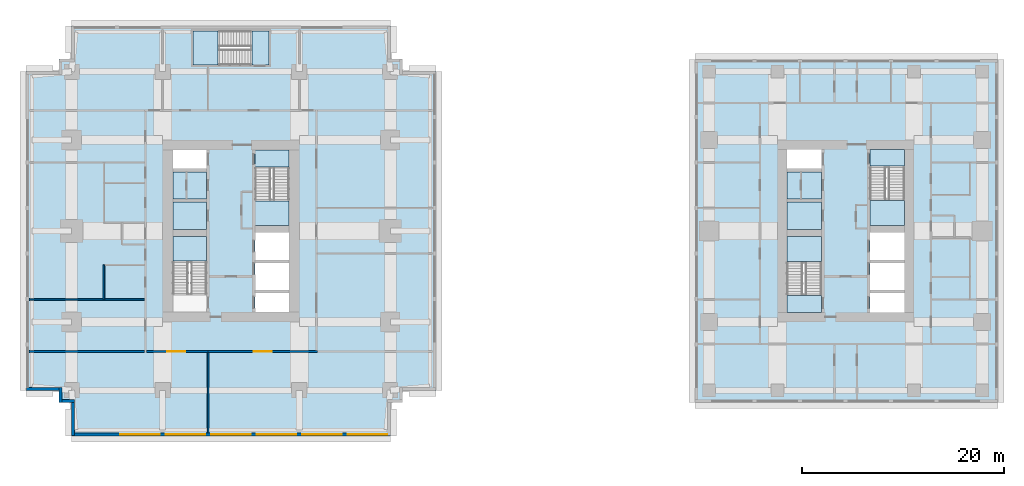
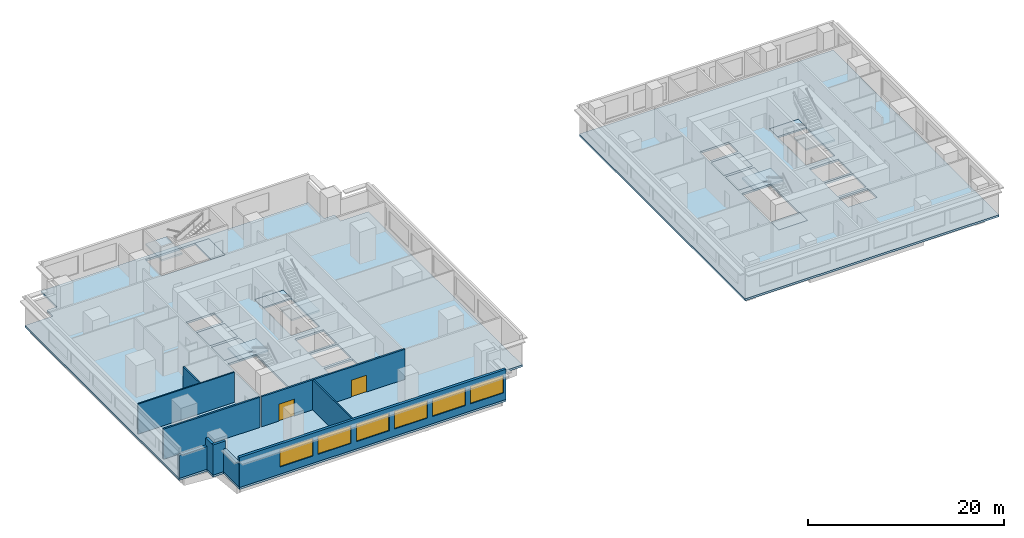
# One storey, part 2 of 11: 15 slabs, 10 walls, 6 windows, 2 doors, 8 openings, 5 elements without a shape of their own.
"""IFC4 building model written with IfcOpenShell, lengths in metres."""

from ifc_helpers import new_model, si_unit, direction, frame, frame_2d, origin, place, context, subcontext, project, spatial, polyline, rectangle, outline, extrude, material, layer, layer_set, type_object, element, fill, aggregate, save


model = new_model("IFC4")

# Units and contexts
model_context = context("Model", 3, precision=1e-05, world=origin(), true_north=direction((0.0, 1.0)))
body_context = subcontext(model_context, "Body", "Model", "MODEL_VIEW")
ifc_project = project(units=[si_unit("LENGTHUNIT", "METRE"), si_unit("AREAUNIT", "SQUARE_METRE"), si_unit("VOLUMEUNIT", "CUBIC_METRE"), si_unit("PLANEANGLEUNIT", "RADIAN"), si_unit("MASSUNIT", "GRAM", prefix="KILO")], contexts=[model_context])

# Site, building, storey
site_placement = place(None, origin())
site = spatial("IfcSite", under=ifc_project, at=site_placement, CompositionType="ELEMENT")
building_placement = place(site_placement, origin())
building = spatial("IfcBuilding", under=site, at=building_placement, Name="Namib Vertical Campus", CompositionType="ELEMENT")
storey_placement = place(building_placement, frame((0.0, 0.0, 221.0)))
storey = spatial("IfcBuildingStorey", under=building, at=storey_placement, Name="L52", CompositionType="ELEMENT", Elevation=221.0)

# Slabs
ifc_material_1 = material(Name="Concrete C40/50", Category="concrete")
ifc_layer_1 = layer(ifc_material_1, 0.25)
ifc_layer_set_1 = layer_set([ifc_layer_1], Name="Concrete C40/50")
slab_type_1 = type_object("IfcSlabType", Name="Floor slab 250", PredefinedType="FLOOR", material=ifc_layer_set_1)
slab_1_placement = place(storey_placement, frame((0.0, 0.0, -0.25)))
element("IfcSlab", 1, at=slab_1_placement, inside=storey, type_object=slab_type_1, Name="Floor slab A L52", PredefinedType="FLOOR", context=body_context, shape_type="SweptSolid", body=[
    extrude(outline(polyline([(4.5, 0.0), (36.0, 0.0), (36.0, 3.27490234375), (37.22509765625, 3.27490234375), (37.22509765625, 4.5), (40.5, 4.5), (40.5, 36.0), (37.22509765625, 36.0), (37.22509765625, 37.22509765625), (36.0, 37.22509765625), (36.0, 40.5), (4.5, 40.5), (4.5, 37.22509765625), (3.27490234375, 37.22509765625), (3.27490234375, 36.0), (0.0, 36.0), (0.0, 4.5), (3.27490234375, 4.5), (3.27490234375, 3.27490234375), (4.5, 3.27490234375), (4.5, 0.0)]), holes=[polyline([(14.5, 12.25), (17.85009765625, 12.25), (17.85009765625, 19.699951171875), (14.5, 19.699951171875), (14.5, 12.25)]), polyline([(22.64990234375, 20.800048828125), (26.0, 20.800048828125), (26.0, 28.25), (22.64990234375, 28.25), (22.64990234375, 20.800048828125)]), polyline([(22.64990234375, 12.25), (26.0, 12.25), (26.0, 14.10009765625), (22.64990234375, 14.10009765625), (22.64990234375, 12.25)]), polyline([(14.5, 20.39990234375), (17.85009765625, 20.39990234375), (17.85009765625, 23.10009765625), (14.5, 23.10009765625), (14.5, 20.39990234375)]), polyline([(14.5, 23.39990234375), (17.85009765625, 23.39990234375), (17.85009765625, 26.10009765625), (14.5, 26.10009765625), (14.5, 23.39990234375)]), polyline([(14.5, 26.39990234375), (17.85009765625, 26.39990234375), (17.85009765625, 28.25), (14.5, 28.25), (14.5, 26.39990234375)]), polyline([(22.64990234375, 14.39990234375), (26.0, 14.39990234375), (26.0, 17.10009765625), (22.64990234375, 17.10009765625), (22.64990234375, 14.39990234375)]), polyline([(22.64990234375, 17.39990234375), (26.0, 17.39990234375), (26.0, 20.10009765625), (22.64990234375, 20.10009765625), (22.64990234375, 17.39990234375)]), polyline([(16.5, 36.64990234375), (24.0, 36.64990234375), (24.0, 40.0), (16.5, 40.0), (16.5, 36.64990234375)])]), origin(), (0.0, 0.0, 1.0), 0.25),
])
slab_2_placement = place(storey_placement, frame((0.0, 0.0, -0.25)))
element("IfcSlab", 2, at=slab_2_placement, inside=storey, type_object=slab_type_1, Name="Floor slab B L52", PredefinedType="FLOOR", context=body_context, shape_type="SweptSolid", body=[
    extrude(outline(polyline([(66.10009765625, 3.300048828125), (96.050048828125, 3.300048828125), (96.050048828125, 37.199951171875), (66.10009765625, 37.199951171875), (66.10009765625, 3.300048828125)]), holes=[polyline([(75.199951171875, 12.199951171875), (78.60009765625, 12.199951171875), (78.60009765625, 19.699951171875), (75.199951171875, 19.699951171875), (75.199951171875, 12.199951171875)]), polyline([(83.39990234375, 20.800048828125), (86.800048828125, 20.800048828125), (86.800048828125, 28.300048828125), (83.39990234375, 28.300048828125), (83.39990234375, 20.800048828125)]), polyline([(83.39990234375, 12.199951171875), (86.800048828125, 12.199951171875), (86.800048828125, 14.10009765625), (83.39990234375, 14.10009765625), (83.39990234375, 12.199951171875)]), polyline([(75.199951171875, 20.39990234375), (78.60009765625, 20.39990234375), (78.60009765625, 23.10009765625), (75.199951171875, 23.10009765625), (75.199951171875, 20.39990234375)]), polyline([(75.199951171875, 23.39990234375), (78.60009765625, 23.39990234375), (78.60009765625, 26.10009765625), (75.199951171875, 26.10009765625), (75.199951171875, 23.39990234375)]), polyline([(75.199951171875, 26.39990234375), (78.60009765625, 26.39990234375), (78.60009765625, 28.300048828125), (75.199951171875, 28.300048828125), (75.199951171875, 26.39990234375)]), polyline([(83.39990234375, 14.39990234375), (86.800048828125, 14.39990234375), (86.800048828125, 17.10009765625), (83.39990234375, 17.10009765625), (83.39990234375, 14.39990234375)]), polyline([(83.39990234375, 17.39990234375), (86.800048828125, 17.39990234375), (86.800048828125, 20.10009765625), (83.39990234375, 20.10009765625), (83.39990234375, 17.39990234375)])]), origin(), (0.0, 0.0, 1.0), 0.25),
])
ifc_material_2 = material(Name="Concrete C40/50 precast", Category="concrete")
ifc_layer_2 = layer(ifc_material_2, 0.25)
ifc_layer_set_2 = layer_set([ifc_layer_2], Name="Concrete C40/50 precast")
slab_type_2 = type_object("IfcSlabType", Name="Shaft infill floor 250", PredefinedType="FLOOR", material=ifc_layer_set_2)
slab_3_placement = place(storey_placement, frame((0.0, 0.0, -0.25)))
element("IfcSlab", 3, at=slab_3_placement, inside=storey, type_object=slab_type_2, Name="Shaft infill floor A L52 P1", PredefinedType="FLOOR", context=body_context, shape_type="SweptSolid", body=[
    extrude(outline(polyline([(14.5, 20.39990234375), (17.85009765625, 20.39990234375), (17.85009765625, 23.10009765625), (14.5, 23.10009765625), (14.5, 20.39990234375)])), origin(), (0.0, 0.0, 1.0), 0.25),
])
slab_4_placement = place(storey_placement, frame((0.0, 0.0, -0.25)))
element("IfcSlab", 4, at=slab_4_placement, inside=storey, type_object=slab_type_2, Name="Shaft infill floor A L52 P2", PredefinedType="FLOOR", context=body_context, shape_type="SweptSolid", body=[
    extrude(outline(polyline([(14.5, 23.39990234375), (17.85009765625, 23.39990234375), (17.85009765625, 26.10009765625), (14.5, 26.10009765625), (14.5, 23.39990234375)])), origin(), (0.0, 0.0, 1.0), 0.25),
])
slab_5_placement = place(storey_placement, frame((0.0, 0.0, -0.25)))
element("IfcSlab", 5, at=slab_5_placement, inside=storey, type_object=slab_type_2, Name="Shaft infill floor B L52 P1", PredefinedType="FLOOR", context=body_context, shape_type="SweptSolid", body=[
    extrude(outline(polyline([(75.199951171875, 20.39990234375), (78.60009765625, 20.39990234375), (78.60009765625, 23.10009765625), (75.199951171875, 23.10009765625), (75.199951171875, 20.39990234375)])), origin(), (0.0, 0.0, 1.0), 0.25),
])
slab_6_placement = place(storey_placement, frame((0.0, 0.0, -0.25)))
element("IfcSlab", 6, at=slab_6_placement, inside=storey, type_object=slab_type_2, Name="Shaft infill floor B L52 P2", PredefinedType="FLOOR", context=body_context, shape_type="SweptSolid", body=[
    extrude(outline(polyline([(75.199951171875, 23.39990234375), (78.60009765625, 23.39990234375), (78.60009765625, 26.10009765625), (75.199951171875, 26.10009765625), (75.199951171875, 23.39990234375)])), origin(), (0.0, 0.0, 1.0), 0.25),
])

# Stair, slab
ifc_material_3 = material(Name="Concrete C40/50 precast", Category="concrete")
stair_type_1 = type_object("IfcStairType", Name="Exit stair 4000 rise 24 risers 3350 wide", PredefinedType="HALF_TURN_STAIR", material=ifc_material_3)
stair_1_placement = place(storey_placement, origin())
stair_1 = element("IfcStair", 7, at=stair_1_placement, inside=storey, type_object=stair_type_1, Name="Exit stair A-S1 L52", PredefinedType="HALF_TURN_STAIR")
ifc_material_4 = material(Name="Concrete C40/50", Category="concrete")
ifc_layer_3 = layer(ifc_material_4, 0.199951171875)
ifc_layer_set_3 = layer_set([ifc_layer_3], Name="Concrete C40/50")
slab_type_3 = type_object("IfcSlabType", Name="Stair landing 200", PredefinedType="LANDING", material=ifc_layer_set_3)
slab_7_placement = place(storey_placement, frame((0.0, 0.0, 1.800048828125)))
slab_7 = element("IfcSlab", 8, at=slab_7_placement, type_object=slab_type_3, Name="A-S1 landing 2", PredefinedType="LANDING", context=body_context, shape_type="SweptSolid", body=[
    extrude(outline(polyline([(14.5, 17.276123046875), (17.85009765625, 17.276123046875), (17.85009765625, 19.699951171875), (14.5, 19.699951171875), (14.5, 17.276123046875)])), origin(), (0.0, 0.0, 1.0), 0.199951171875),
])
aggregate(stair_1, [slab_7])

# Stair, slabs
stair_2_placement = place(storey_placement, origin())
stair_2 = element("IfcStair", 9, at=stair_2_placement, inside=storey, type_object=stair_type_1, Name="Exit stair A-S2 L52", PredefinedType="HALF_TURN_STAIR")
slab_8_placement = place(storey_placement, frame((0.0, 0.0, -0.199951171875)))
slab_8 = element("IfcSlab", 10, at=slab_8_placement, type_object=slab_type_3, Name="A-S2 landing 1", PredefinedType="LANDING", context=body_context, shape_type="SweptSolid", body=[
    extrude(outline(polyline([(22.64990234375, 26.59619140625), (26.0, 26.59619140625), (26.0, 28.25), (22.64990234375, 28.25), (22.64990234375, 26.59619140625)])), origin(), (0.0, 0.0, 1.0), 0.199951171875),
])
slab_9_placement = place(storey_placement, frame((0.0, 0.0, 1.800048828125)))
slab_9 = element("IfcSlab", 11, at=slab_9_placement, type_object=slab_type_3, Name="A-S2 landing 2", PredefinedType="LANDING", context=body_context, shape_type="SweptSolid", body=[
    extrude(outline(polyline([(22.64990234375, 20.800048828125), (26.0, 20.800048828125), (26.0, 23.223876953125), (22.64990234375, 23.223876953125), (22.64990234375, 20.800048828125)])), origin(), (0.0, 0.0, 1.0), 0.199951171875),
])
aggregate(stair_2, [slab_8, slab_9])

ifc_material_5 = material(Name="Concrete C40/50 precast", Category="concrete")
stair_type_2 = type_object("IfcStairType", Name="Exit stair 4000 rise 24 risers 3400 wide", PredefinedType="HALF_TURN_STAIR", material=ifc_material_5)
stair_3_placement = place(storey_placement, origin())
stair_3 = element("IfcStair", 12, at=stair_3_placement, inside=storey, type_object=stair_type_2, Name="Exit stair B-S1 L52", PredefinedType="HALF_TURN_STAIR")
slab_10_placement = place(storey_placement, frame((0.0, 0.0, -0.199951171875)))
slab_10 = element("IfcSlab", 13, at=slab_10_placement, type_object=slab_type_3, Name="B-S1 landing 1", PredefinedType="LANDING", context=body_context, shape_type="SweptSolid", body=[
    extrude(outline(polyline([(75.199951171875, 12.199951171875), (78.60009765625, 12.199951171875), (78.60009765625, 13.85400390625), (75.199951171875, 13.85400390625), (75.199951171875, 12.199951171875)])), origin(), (0.0, 0.0, 1.0), 0.199951171875),
])
slab_11_placement = place(storey_placement, frame((0.0, 0.0, 1.800048828125)))
slab_11 = element("IfcSlab", 14, at=slab_11_placement, type_object=slab_type_3, Name="B-S1 landing 2", PredefinedType="LANDING", context=body_context, shape_type="SweptSolid", body=[
    extrude(outline(polyline([(75.199951171875, 17.22607421875), (78.60009765625, 17.22607421875), (78.60009765625, 19.699951171875), (75.199951171875, 19.699951171875), (75.199951171875, 17.22607421875)])), origin(), (0.0, 0.0, 1.0), 0.199951171875),
])
aggregate(stair_3, [slab_10, slab_11])

stair_4_placement = place(storey_placement, origin())
stair_4 = element("IfcStair", 15, at=stair_4_placement, inside=storey, type_object=stair_type_2, Name="Exit stair B-S2 L52", PredefinedType="HALF_TURN_STAIR")
slab_12_placement = place(storey_placement, frame((0.0, 0.0, -0.199951171875)))
slab_12 = element("IfcSlab", 16, at=slab_12_placement, type_object=slab_type_3, Name="B-S2 landing 1", PredefinedType="LANDING", context=body_context, shape_type="SweptSolid", body=[
    extrude(outline(polyline([(83.39990234375, 26.64599609375), (86.800048828125, 26.64599609375), (86.800048828125, 28.300048828125), (83.39990234375, 28.300048828125), (83.39990234375, 26.64599609375)])), origin(), (0.0, 0.0, 1.0), 0.199951171875),
])
slab_13_placement = place(storey_placement, frame((0.0, 0.0, 1.800048828125)))
slab_13 = element("IfcSlab", 17, at=slab_13_placement, type_object=slab_type_3, Name="B-S2 landing 2", PredefinedType="LANDING", context=body_context, shape_type="SweptSolid", body=[
    extrude(outline(polyline([(83.39990234375, 20.800048828125), (86.800048828125, 20.800048828125), (86.800048828125, 23.27392578125), (83.39990234375, 23.27392578125), (83.39990234375, 20.800048828125)])), origin(), (0.0, 0.0, 1.0), 0.199951171875),
])
aggregate(stair_4, [slab_12, slab_13])

stair_5_placement = place(storey_placement, origin())
stair_5 = element("IfcStair", 18, at=stair_5_placement, inside=storey, type_object=stair_type_1, Name="Exit stair A-S3 L52", PredefinedType="HALF_TURN_STAIR")
slab_14_placement = place(storey_placement, frame((0.0, 0.0, -0.199951171875)))
slab_14 = element("IfcSlab", 19, at=slab_14_placement, type_object=slab_type_3, Name="A-S3 landing 1", PredefinedType="LANDING", context=body_context, shape_type="SweptSolid", body=[
    extrude(outline(polyline([(22.34619140625, 36.64990234375), (22.34619140625, 40.0), (24.0, 40.0), (24.0, 36.64990234375), (22.34619140625, 36.64990234375)])), origin(), (0.0, 0.0, 1.0), 0.199951171875),
])
slab_15_placement = place(storey_placement, frame((0.0, 0.0, 1.800048828125)))
slab_15 = element("IfcSlab", 20, at=slab_15_placement, type_object=slab_type_3, Name="A-S3 landing 2", PredefinedType="LANDING", context=body_context, shape_type="SweptSolid", body=[
    extrude(outline(polyline([(16.5, 36.64990234375), (16.5, 40.0), (18.973876953125, 40.0), (18.973876953125, 36.64990234375), (16.5, 36.64990234375)])), origin(), (0.0, 0.0, 1.0), 0.199951171875),
])
aggregate(stair_5, [slab_14, slab_15])

# Wall, openings, doors
ifc_material_6 = material(Name="Concrete masonry", Category="masonry")
ifc_layer_4 = layer(ifc_material_6, 0.199951171875)
ifc_layer_set_4 = layer_set([ifc_layer_4], Name="Corridor wall 200")
wall_type_1 = type_object("IfcWallType", Name="Corridor wall 200", PredefinedType="SOLIDWALL", material=ifc_layer_set_4)
wall_1_placement = place(storey_placement, frame((11.89990234375, 8.35009765625, 0.0), z_axis=(0.0, 0.0, 1.0), x_axis=(1.0, 0.0, 0.0)))
wall_1 = element("IfcWall", 21, at=wall_1_placement, inside=storey, type_object=wall_type_1, Name="Corridor wall A L52 CS", PredefinedType="SOLIDWALL", context=body_context, shape_type="SweptSolid", body=[
    extrude(rectangle(XDim=16.900146484375, YDim=0.199951171875, at=frame_2d((8.4501953125, 0.0))), origin(), (0.0, 0.0, 1.0), 3.75),
])
opening_1_placement = place(wall_1_placement, frame((2.050048828125, 0.0, 0.0)))
opening_1 = element("IfcOpeningElement", 22, at=opening_1_placement, cuts=wall_1, Name="Opening CD2", PredefinedType="OPENING", context=body_context, shape_type="SweptSolid", body=[
    extrude(rectangle(XDim=1.800048828125, YDim=2.10009765625, at=frame_2d((0.89990234375, 1.050048828125))), frame((0.0, 0.10986328125, 0.0), z_axis=(0.0, -1.0, 0.0), x_axis=(1.0, 0.0, 0.0)), (0.0, 0.0, 1.0), 0.219970703125),
])
opening_2_placement = place(wall_1_placement, frame((10.60009765625, 0.0, 0.0)))
opening_2 = element("IfcOpeningElement", 23, at=opening_2_placement, cuts=wall_1, Name="Opening CD2", PredefinedType="OPENING", context=body_context, shape_type="SweptSolid", body=[
    extrude(rectangle(XDim=1.800048828125, YDim=2.10009765625, at=frame_2d((0.89990234375, 1.050048828125))), frame((0.0, 0.10986328125, 0.0), z_axis=(0.0, -1.0, 0.0), x_axis=(1.0, 0.0, 0.0)), (0.0, 0.0, 1.0), 0.219970703125),
])
ifc_material_7 = material(Name="Timber fire door leaf", Category="wood")
door_type = type_object("IfcDoorType", Name="Corridor door double 1800x2100 20 min", OperationType="DOUBLE_DOOR_SINGLE_SWING", PredefinedType="DOOR", material=ifc_material_7)
door_1_placement = place(opening_1_placement, frame((1.800048828125, 0.0, 0.0), z_axis=(0.0, 0.0, 1.0), x_axis=(-1.0, 0.0, 0.0)))
door_1 = element("IfcDoor", 24, at=door_1_placement, inside=storey, type_object=door_type, Name="Door CD2 A52-01", OperationType="DOUBLE_DOOR_SINGLE_SWING", OverallHeight=2.10009765625, OverallWidth=1.800048828125, PredefinedType="DOOR", context=body_context, shape_type="SweptSolid", body=[
    extrude(rectangle(XDim=1.800048828125, YDim=2.10009765625, at=frame_2d((0.89990234375, 1.050048828125))), frame((0.0, 0.02490234375, 0.0), z_axis=(0.0, -1.0, 0.0), x_axis=(1.0, 0.0, 0.0)), (0.0, 0.0, 1.0), 0.050048828125),
])
fill(opening_1, door_1)
door_2_placement = place(opening_2_placement, frame((1.800048828125, 0.0, 0.0), z_axis=(0.0, 0.0, 1.0), x_axis=(-1.0, 0.0, 0.0)))
door_2 = element("IfcDoor", 25, at=door_2_placement, inside=storey, type_object=door_type, Name="Door CD2 A52-02", OperationType="DOUBLE_DOOR_SINGLE_SWING", OverallHeight=2.10009765625, OverallWidth=1.800048828125, PredefinedType="DOOR", context=body_context, shape_type="SweptSolid", body=[
    extrude(rectangle(XDim=1.800048828125, YDim=2.10009765625, at=frame_2d((0.89990234375, 1.050048828125))), frame((0.0, 0.02490234375, 0.0), z_axis=(0.0, -1.0, 0.0), x_axis=(1.0, 0.0, 0.0)), (0.0, 0.0, 1.0), 0.050048828125),
])
fill(opening_2, door_2)

# Wall
wall_2_placement = place(storey_placement, frame((0.300048828125, 8.35009765625, 0.0), z_axis=(0.0, 0.0, 1.0), x_axis=(1.0, 0.0, 0.0)))
element("IfcWall", 26, at=wall_2_placement, inside=storey, type_object=wall_type_1, Name="Partition A L52 BSW", PredefinedType="SOLIDWALL", context=body_context, shape_type="SweptSolid", body=[
    extrude(rectangle(XDim=11.39990234375, YDim=0.199951171875, at=frame_2d((5.699951171875, 0.0))), origin(), (0.0, 0.0, 1.0), 3.75),
])

# Wall, openings, windows
ifc_material_8 = material(Name="Concrete C40/50", Category="concrete")
ifc_layer_5 = layer(ifc_material_8, 0.300048828125)
ifc_layer_set_5 = layer_set([ifc_layer_5], Name="Concrete C40/50")
wall_type_2 = type_object("IfcWallType", Name="External wall 300 board-marked concrete", PredefinedType="STANDARD", material=ifc_layer_set_5)
wall_3_placement = place(storey_placement, frame((4.52001953125, 0.14990234375, 0.0), z_axis=(0.0, 0.0, 1.0), x_axis=(1.0, 0.0, 0.0)))
wall_3 = element("IfcWall", 27, at=wall_3_placement, inside=storey, type_object=wall_type_2, Name="External wall L52 F01", PredefinedType="STANDARD", context=body_context, shape_type="SweptSolid", body=[
    extrude(rectangle(XDim=31.4599609375, YDim=0.300048828125, at=frame_2d((15.72998046875, 0.0))), origin(), (0.0, 0.0, 1.0), 3.75),
])
opening_3_placement = place(wall_3_placement, frame((4.780029296875, 0.0, 0.89990234375)))
opening_3 = element("IfcOpeningElement", 28, at=opening_3_placement, cuts=wall_3, Name="Opening W1", PredefinedType="OPENING", context=body_context, shape_type="SweptSolid", body=[
    extrude(rectangle(XDim=3.89990234375, YDim=2.199951171875, at=frame_2d((1.949951171875, 1.10009765625))), frame((0.0, 0.159912109375, 0.0), z_axis=(0.0, -1.0, 0.0), x_axis=(1.0, 0.0, 0.0)), (0.0, 0.0, 1.0), 0.320068359375),
])
opening_4_placement = place(wall_3_placement, frame((9.280029296875, 0.0, 0.89990234375)))
opening_4 = element("IfcOpeningElement", 29, at=opening_4_placement, cuts=wall_3, Name="Opening W1", PredefinedType="OPENING", context=body_context, shape_type="SweptSolid", body=[
    extrude(rectangle(XDim=3.89990234375, YDim=2.199951171875, at=frame_2d((1.949951171875, 1.10009765625))), frame((0.0, 0.159912109375, 0.0), z_axis=(0.0, -1.0, 0.0), x_axis=(1.0, 0.0, 0.0)), (0.0, 0.0, 1.0), 0.320068359375),
])
opening_5_placement = place(wall_3_placement, frame((13.780029296875, 0.0, 0.89990234375)))
opening_5 = element("IfcOpeningElement", 30, at=opening_5_placement, cuts=wall_3, Name="Opening W1", PredefinedType="OPENING", context=body_context, shape_type="SweptSolid", body=[
    extrude(rectangle(XDim=3.89990234375, YDim=2.199951171875, at=frame_2d((1.949951171875, 1.10009765625))), frame((0.0, 0.159912109375, 0.0), z_axis=(0.0, -1.0, 0.0), x_axis=(1.0, 0.0, 0.0)), (0.0, 0.0, 1.0), 0.320068359375),
])
opening_6_placement = place(wall_3_placement, frame((18.280029296875, 0.0, 0.89990234375)))
opening_6 = element("IfcOpeningElement", 31, at=opening_6_placement, cuts=wall_3, Name="Opening W1", PredefinedType="OPENING", context=body_context, shape_type="SweptSolid", body=[
    extrude(rectangle(XDim=3.89990234375, YDim=2.199951171875, at=frame_2d((1.949951171875, 1.10009765625))), frame((0.0, 0.159912109375, 0.0), z_axis=(0.0, -1.0, 0.0), x_axis=(1.0, 0.0, 0.0)), (0.0, 0.0, 1.0), 0.320068359375),
])
opening_7_placement = place(wall_3_placement, frame((22.780029296875, 0.0, 0.89990234375)))
opening_7 = element("IfcOpeningElement", 32, at=opening_7_placement, cuts=wall_3, Name="Opening W1", PredefinedType="OPENING", context=body_context, shape_type="SweptSolid", body=[
    extrude(rectangle(XDim=3.89990234375, YDim=2.199951171875, at=frame_2d((1.949951171875, 1.10009765625))), frame((0.0, 0.159912109375, 0.0), z_axis=(0.0, -1.0, 0.0), x_axis=(1.0, 0.0, 0.0)), (0.0, 0.0, 1.0), 0.320068359375),
])
opening_8_placement = place(wall_3_placement, frame((27.280029296875, 0.0, 0.89990234375)))
opening_8 = element("IfcOpeningElement", 33, at=opening_8_placement, cuts=wall_3, Name="Opening W1", PredefinedType="OPENING", context=body_context, shape_type="SweptSolid", body=[
    extrude(rectangle(XDim=3.89990234375, YDim=2.199951171875, at=frame_2d((1.949951171875, 1.10009765625))), frame((0.0, 0.159912109375, 0.0), z_axis=(0.0, -1.0, 0.0), x_axis=(1.0, 0.0, 0.0)), (0.0, 0.0, 1.0), 0.320068359375),
])
ifc_material_9 = material(Name="Dark tinted glass in black aluminium frame", Category="aluminium")
window_type = type_object("IfcWindowType", Name="Ribbon window 3900x2200", PartitioningType="SINGLE_PANEL", PredefinedType="WINDOW", material=ifc_material_9)
window_1_placement = place(opening_3_placement, origin())
window_1 = element("IfcWindow", 34, at=window_1_placement, inside=storey, type_object=window_type, Name="Window W1 L52 F01-2", OverallHeight=2.199951171875, OverallWidth=3.89990234375, PartitioningType="SINGLE_PANEL", PredefinedType="WINDOW", context=body_context, shape_type="SweptSolid", body=[
    extrude(rectangle(XDim=3.89990234375, YDim=2.199951171875, at=frame_2d((1.949951171875, 1.10009765625))), frame((0.0, 0.030029296875, 0.0), z_axis=(0.0, -1.0, 0.0), x_axis=(1.0, 0.0, 0.0)), (0.0, 0.0, 1.0), 0.06005859375),
])
fill(opening_3, window_1)
window_2_placement = place(opening_4_placement, origin())
window_2 = element("IfcWindow", 35, at=window_2_placement, inside=storey, type_object=window_type, Name="Window W1 L52 F01-3", OverallHeight=2.199951171875, OverallWidth=3.89990234375, PartitioningType="SINGLE_PANEL", PredefinedType="WINDOW", context=body_context, shape_type="SweptSolid", body=[
    extrude(rectangle(XDim=3.89990234375, YDim=2.199951171875, at=frame_2d((1.949951171875, 1.10009765625))), frame((0.0, 0.030029296875, 0.0), z_axis=(0.0, -1.0, 0.0), x_axis=(1.0, 0.0, 0.0)), (0.0, 0.0, 1.0), 0.06005859375),
])
fill(opening_4, window_2)
window_3_placement = place(opening_5_placement, origin())
window_3 = element("IfcWindow", 36, at=window_3_placement, inside=storey, type_object=window_type, Name="Window W1 L52 F01-4", OverallHeight=2.199951171875, OverallWidth=3.89990234375, PartitioningType="SINGLE_PANEL", PredefinedType="WINDOW", context=body_context, shape_type="SweptSolid", body=[
    extrude(rectangle(XDim=3.89990234375, YDim=2.199951171875, at=frame_2d((1.949951171875, 1.10009765625))), frame((0.0, 0.030029296875, 0.0), z_axis=(0.0, -1.0, 0.0), x_axis=(1.0, 0.0, 0.0)), (0.0, 0.0, 1.0), 0.06005859375),
])
fill(opening_5, window_3)
window_4_placement = place(opening_6_placement, origin())
window_4 = element("IfcWindow", 37, at=window_4_placement, inside=storey, type_object=window_type, Name="Window W1 L52 F01-5", OverallHeight=2.199951171875, OverallWidth=3.89990234375, PartitioningType="SINGLE_PANEL", PredefinedType="WINDOW", context=body_context, shape_type="SweptSolid", body=[
    extrude(rectangle(XDim=3.89990234375, YDim=2.199951171875, at=frame_2d((1.949951171875, 1.10009765625))), frame((0.0, 0.030029296875, 0.0), z_axis=(0.0, -1.0, 0.0), x_axis=(1.0, 0.0, 0.0)), (0.0, 0.0, 1.0), 0.06005859375),
])
fill(opening_6, window_4)
window_5_placement = place(opening_7_placement, origin())
window_5 = element("IfcWindow", 38, at=window_5_placement, inside=storey, type_object=window_type, Name="Window W1 L52 F01-6", OverallHeight=2.199951171875, OverallWidth=3.89990234375, PartitioningType="SINGLE_PANEL", PredefinedType="WINDOW", context=body_context, shape_type="SweptSolid", body=[
    extrude(rectangle(XDim=3.89990234375, YDim=2.199951171875, at=frame_2d((1.949951171875, 1.10009765625))), frame((0.0, 0.030029296875, 0.0), z_axis=(0.0, -1.0, 0.0), x_axis=(1.0, 0.0, 0.0)), (0.0, 0.0, 1.0), 0.06005859375),
])
fill(opening_7, window_5)
window_6_placement = place(opening_8_placement, origin())
window_6 = element("IfcWindow", 39, at=window_6_placement, inside=storey, type_object=window_type, Name="Window W1 L52 F01-7", OverallHeight=2.199951171875, OverallWidth=3.89990234375, PartitioningType="SINGLE_PANEL", PredefinedType="WINDOW", context=body_context, shape_type="SweptSolid", body=[
    extrude(rectangle(XDim=3.89990234375, YDim=2.199951171875, at=frame_2d((1.949951171875, 1.10009765625))), frame((0.0, 0.030029296875, 0.0), z_axis=(0.0, -1.0, 0.0), x_axis=(1.0, 0.0, 0.0)), (0.0, 0.0, 1.0), 0.06005859375),
])
fill(opening_8, window_6)

# Walls
wall_4_placement = place(storey_placement, frame((0.02001953125, 4.64990234375, 0.0), z_axis=(0.0, 0.0, 1.0), x_axis=(1.0, 0.0, 0.0)))
element("IfcWall", 40, at=wall_4_placement, inside=storey, type_object=wall_type_2, Name="External wall L52 F17", PredefinedType="STANDARD", context=body_context, shape_type="SweptSolid", body=[
    extrude(rectangle(XDim=3.534912109375, YDim=0.300048828125, at=frame_2d((1.767578125, 0.0))), origin(), (0.0, 0.0, 1.0), 2.85009765625),
])
for number, where, z_axis, x_axis, name in (
    (41, (3.425048828125, 4.780029296875, 0.0), (0.0, 0.0, 1.0), (0.0, -1.0, 0.0), "External wall L52 F18"),
    (42, (3.294921875, 3.425048828125, 0.0), (0.0, 0.0, 1.0), (1.0, 0.0, 0.0), "External wall L52 F19"),
):
    element("IfcWall", number, at=place(storey_placement, frame(where, z_axis=z_axis, x_axis=x_axis)), inside=storey, type_object=wall_type_2, Name=name, PredefinedType="STANDARD", context=body_context, shape_type="SweptSolid", body=[
        extrude(rectangle(XDim=1.485107421875, YDim=0.300048828125, at=frame_2d((0.74267578125, 0.0))), origin(), (0.0, 0.0, 1.0), 3.75),
    ])
wall_5_placement = place(storey_placement, frame((4.64990234375, 3.554931640625, 0.0), z_axis=(0.0, 0.0, 1.0), x_axis=(0.0, -1.0, 0.0)))
element("IfcWall", 43, at=wall_5_placement, inside=storey, type_object=wall_type_2, Name="External wall L52 F20", PredefinedType="STANDARD", context=body_context, shape_type="SweptSolid", body=[
    extrude(rectangle(XDim=3.534912109375, YDim=0.300048828125, at=frame_2d((1.767578125, 0.0))), origin(), (0.0, 0.0, 1.0), 2.85009765625),
])
ifc_material_10 = material(Name="Gypsum board on steel studs", Category="steel")
ifc_layer_6 = layer(ifc_material_10, 0.14990234375)
ifc_layer_set_6 = layer_set([ifc_layer_6], Name="Gypsum board on steel studs")
wall_type_3 = type_object("IfcWallType", Name="Partition 150", PredefinedType="PARTITIONING", material=ifc_layer_set_6)
wall_6_placement = place(storey_placement, frame((18.0, 0.300048828125, 0.0), z_axis=(0.0, 0.0, 1.0), x_axis=(0.0, 1.0, 0.0)))
element("IfcWall", 44, at=wall_6_placement, inside=storey, type_object=wall_type_3, Name="Partition A L52 PS1", PredefinedType="PARTITIONING", context=body_context, shape_type="SweptSolid", body=[
    extrude(rectangle(XDim=7.949951171875, YDim=0.14990234375, at=frame_2d((3.97509765625, 0.0))), origin(), (0.0, 0.0, 1.0), 3.75),
])
wall_7_placement = place(storey_placement, frame((0.300048828125, 13.5, 0.0), z_axis=(0.0, 0.0, 1.0), x_axis=(1.0, 0.0, 0.0)))
element("IfcWall", 45, at=wall_7_placement, inside=storey, type_object=wall_type_3, Name="Partition A L52 PW1", PredefinedType="PARTITIONING", context=body_context, shape_type="SweptSolid", body=[
    extrude(rectangle(XDim=11.39990234375, YDim=0.14990234375, at=frame_2d((5.699951171875, 0.0))), origin(), (0.0, 0.0, 1.0), 3.75),
])
wall_8_placement = place(storey_placement, frame((7.699951171875, 13.5, 0.0), z_axis=(0.0, 0.0, 1.0), x_axis=(0.0, 1.0, 0.0)))
element("IfcWall", 46, at=wall_8_placement, inside=storey, type_object=wall_type_3, Name="Partition A L52 WB1", PredefinedType="PARTITIONING", context=body_context, shape_type="SweptSolid", body=[
    extrude(rectangle(XDim=3.39990234375, YDim=0.14990234375, at=frame_2d((1.699951171875, 0.0))), origin(), (0.0, 0.0, 1.0), 3.75),
])

save(model, "model.ifc")
